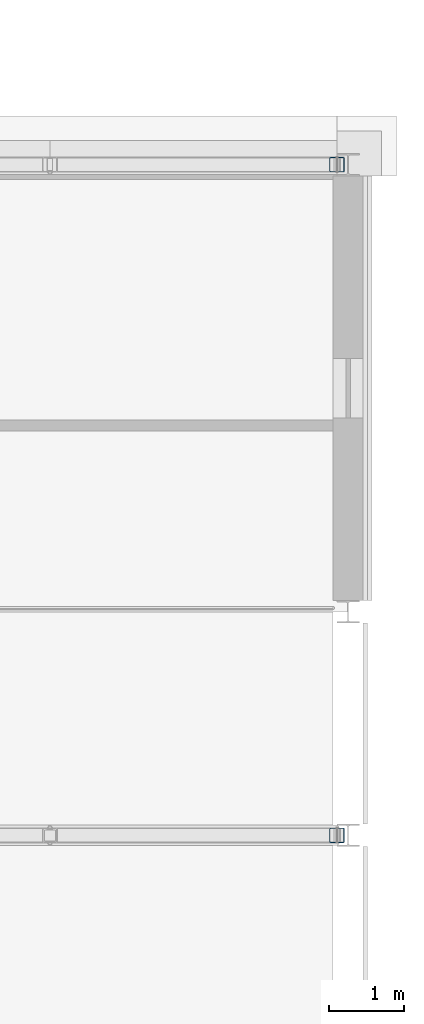
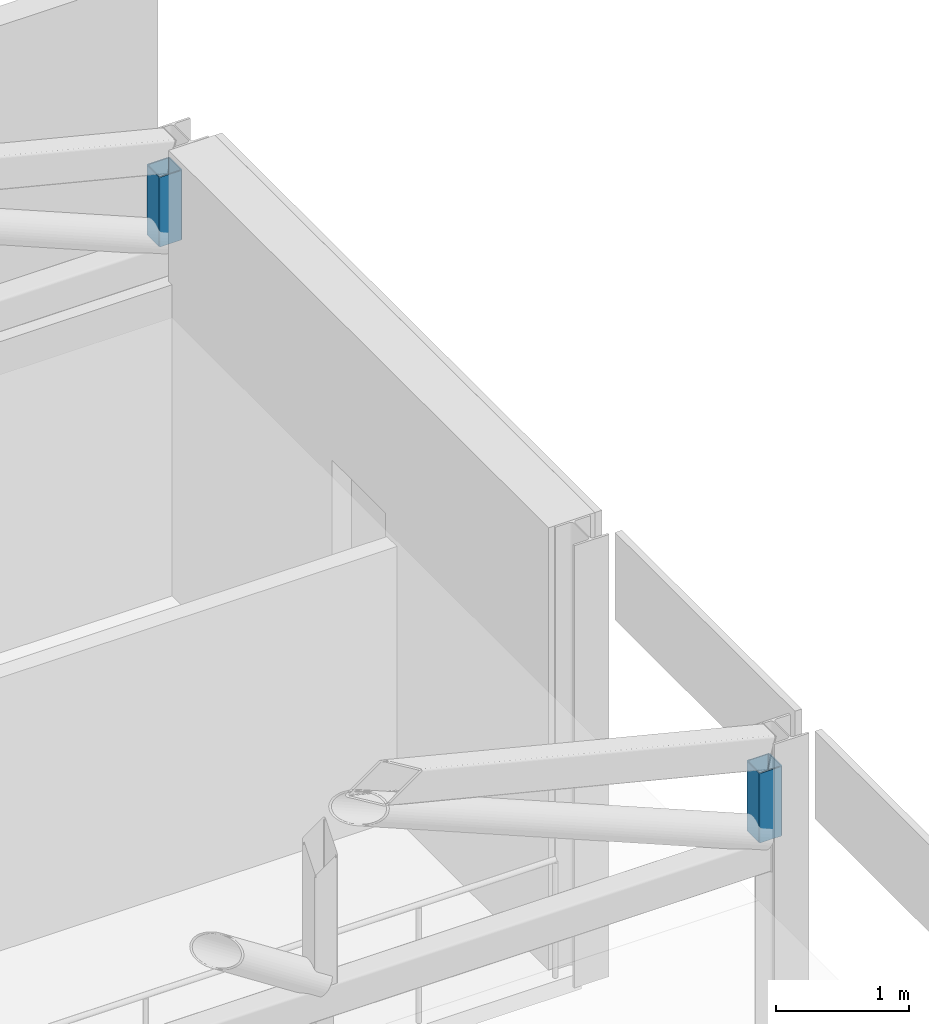
# One storey, part 75 of 149: 2 members.
"""IFC4 building model written with IfcOpenShell, lengths in metres."""

from ifc_helpers import new_model, si_unit, direction, frame, origin, origin_2d, place, context, subcontext, project, spatial, hollow_rectangle, extrude, material, material_profile, profile_set, type_object, element, save


model = new_model("IFC4")

# Units and contexts
model_context = context("Model", 3, precision=1e-05, world=origin(), true_north=direction((0.0, 1.0)))
body_context = subcontext(model_context, "Body", "Model", "MODEL_VIEW")
ifc_project = project(units=[si_unit("LENGTHUNIT", "METRE"), si_unit("AREAUNIT", "SQUARE_METRE"), si_unit("VOLUMEUNIT", "CUBIC_METRE"), si_unit("PLANEANGLEUNIT", "RADIAN"), si_unit("MASSUNIT", "GRAM", prefix="KILO")], contexts=[model_context])

# Site, building, storey
site_placement = place(None, origin())
site = spatial("IfcSite", under=ifc_project, at=site_placement, CompositionType="ELEMENT")
building_placement = place(site_placement, origin())
building = spatial("IfcBuilding", under=site, at=building_placement, Name="Kallimachos Central Library", CompositionType="ELEMENT")
storey_placement = place(building_placement, frame((0.0, 0.0, 9.89990234375)))
storey = spatial("IfcBuildingStorey", under=building, at=storey_placement, Name="L02", CompositionType="ELEMENT", Elevation=9.89990234375)

# Members
ifc_material = material(Name="Steel S355J2H", Category="steel")
ifc_material_profile = material_profile(ifc_material, hollow_rectangle(XDim=0.199951171875, YDim=0.199951171875, WallThickness=0.010009765625, InnerFilletRadius=0.010009765625, OuterFilletRadius=0.014892578125, at=origin_2d()), Name="SHS 200x200x10")
ifc_profile_set = profile_set([ifc_material_profile], Name="Steel S355J2H")
member_type = type_object("IfcMemberType", Name="SHS 200x200x10 truss post", PredefinedType="POST", material=ifc_profile_set)
for number, where, z_axis, x_axis, name in (
    (1, (169.85009765625, 105.0, 3.150146484375), (0.0, 0.0, 1.0), (1.0, 0.0, 0.0), "Truss T3 post 7"),
    (2, (169.85009765625, 114.0, 3.150146484375), (0.0, 0.0, 1.0), (1.0, 0.0, 0.0), "Truss T4 post 7"),
):
    element("IfcMember", number, at=place(storey_placement, frame(where, z_axis=z_axis, x_axis=x_axis)), inside=storey, type_object=member_type, Name=name, PredefinedType="POST", context=body_context, shape_type="SweptSolid", body=[
        extrude(hollow_rectangle(XDim=0.199951171875, YDim=0.199951171875, WallThickness=0.010009765625, InnerFilletRadius=0.010009765625, OuterFilletRadius=0.014892578125, at=origin_2d()), origin(), (0.0, 0.0, 1.0), 0.637451171875),
    ])

save(model, "model.ifc")
